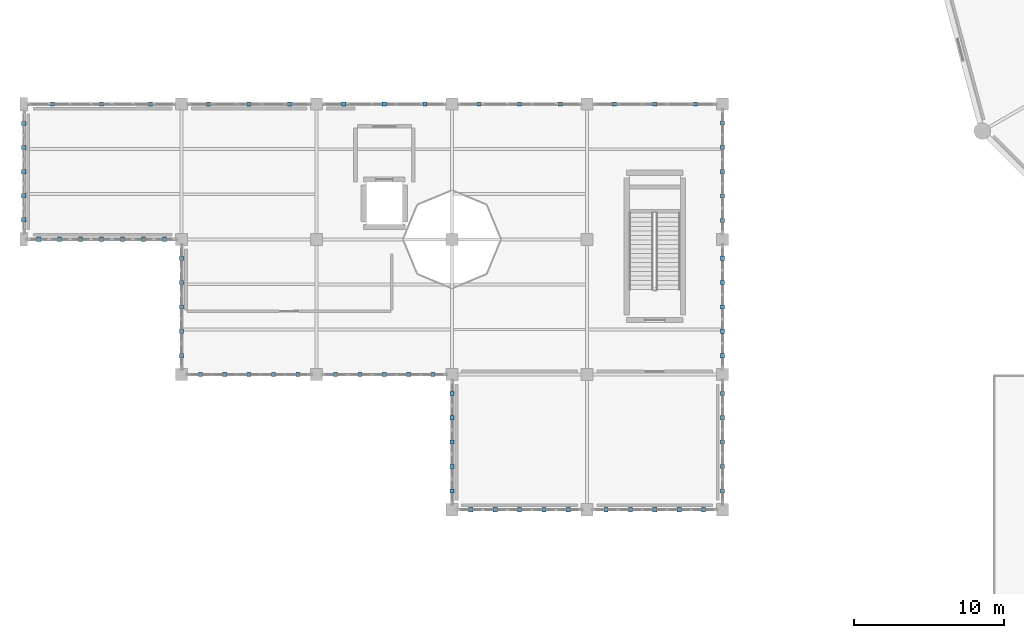
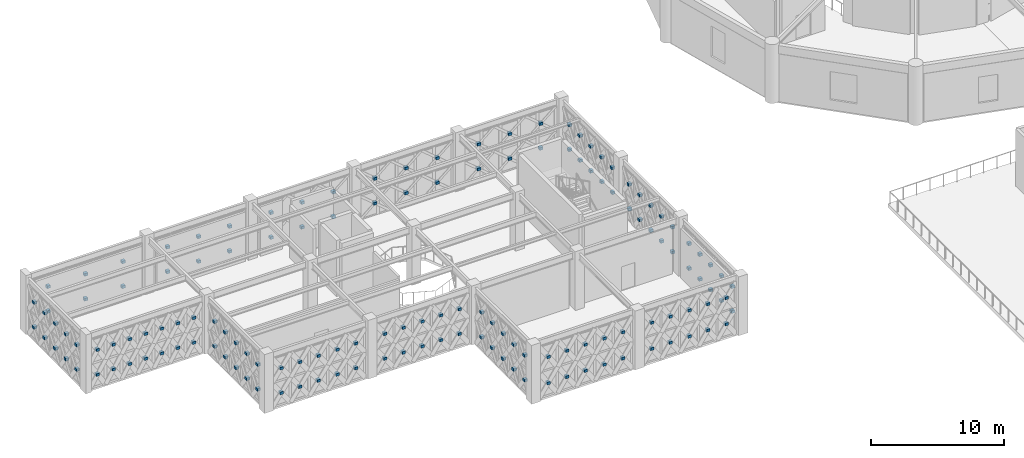
# One storey, part 76 of 86: 144 discrete accessories.
"""IFC4 building model written with IfcOpenShell, lengths in metres."""

from ifc_helpers import new_model, si_unit, direction, frame, origin, origin_2d, place, context, subcontext, project, spatial, rectangle, extrude, material, type_object, element, save


model = new_model("IFC4")

# Units and contexts
model_context = context("Model", 3, precision=1e-05, world=origin(), true_north=direction((0.0, 1.0)))
body_context = subcontext(model_context, "Body", "Model", "MODEL_VIEW")
ifc_project = project(units=[si_unit("LENGTHUNIT", "METRE"), si_unit("AREAUNIT", "SQUARE_METRE"), si_unit("VOLUMEUNIT", "CUBIC_METRE"), si_unit("PLANEANGLEUNIT", "RADIAN"), si_unit("MASSUNIT", "GRAM", prefix="KILO")], contexts=[model_context])

# Site, building, storey
site_placement = place(None, origin())
site = spatial("IfcSite", under=ifc_project, at=site_placement, CompositionType="ELEMENT")
building_placement = place(site_placement, origin())
building = spatial("IfcBuilding", under=site, at=building_placement, Name="Haizhuo Lancet Aquarium", CompositionType="ELEMENT")
storey_placement = place(building_placement, frame((0.0, 0.0, 16.199951171875)))
storey = spatial("IfcBuildingStorey", under=building, at=storey_placement, Name="L03", CompositionType="ELEMENT", Elevation=16.199951171875)

# Discrete accessories
ifc_material = material(Name="Steel S355", Category="steel")
discrete_accessory_type = type_object("IfcDiscreteAccessoryType", Name="ACC-END-CAP", PredefinedType="BRACKET", material=ifc_material)
for number, where, z_axis, x_axis, name in (
    (1, (-73.14208984375, -18.0, 1.01708984375), (0.0, 0.0, 1.0), (1.0, 0.0, 0.0), "L03 X-brace crossing gusset plate XN-CW-V6-L03-228-LB01B1"),
    (2, (-73.14208984375, -18.0, 3.29296875), (0.0, 0.0, 1.0), (1.0, 0.0, 0.0), "L03 X-brace crossing gusset plate XN-CW-V6-L03-228-LB02B1"),
    (3, (-74.535888671875, -18.0, 1.01708984375), (0.0, 0.0, 1.0), (1.0, 0.0, 0.0), "L03 X-brace crossing gusset plate XN-CW-V6-L03-228-LB03B1"),
    (4, (-74.535888671875, -18.0, 3.29296875), (0.0, 0.0, 1.0), (1.0, 0.0, 0.0), "L03 X-brace crossing gusset plate XN-CW-V6-L03-228-LB04B1"),
    (5, (-75.930908203125, -18.0, 1.01708984375), (0.0, 0.0, 1.0), (1.0, 0.0, 0.0), "L03 X-brace crossing gusset plate XN-CW-V6-L03-228-LB05B1"),
    (6, (-75.930908203125, -18.0, 3.29296875), (0.0, 0.0, 1.0), (1.0, 0.0, 0.0), "L03 X-brace crossing gusset plate XN-CW-V6-L03-228-LB06B1"),
    (7, (-77.324951171875, -18.0, 1.01708984375), (0.0, 0.0, 1.0), (1.0, 0.0, 0.0), "L03 X-brace crossing gusset plate XN-CW-V6-L03-228-LB07B1"),
    (8, (-77.324951171875, -18.0, 3.29296875), (0.0, 0.0, 1.0), (1.0, 0.0, 0.0), "L03 X-brace crossing gusset plate XN-CW-V6-L03-228-LB08B1"),
    (9, (-78.718994140625, -18.0, 1.01708984375), (0.0, 0.0, 1.0), (1.0, 0.0, 0.0), "L03 X-brace crossing gusset plate XN-CW-V6-L03-228-LB09B1"),
    (10, (-78.718994140625, -18.0, 3.29296875), (0.0, 0.0, 1.0), (1.0, 0.0, 0.0), "L03 X-brace crossing gusset plate XN-CW-V6-L03-228-LB10B1"),
    (11, (-80.114013671875, -18.0, 1.01708984375), (0.0, 0.0, 1.0), (1.0, 0.0, 0.0), "L03 X-brace crossing gusset plate XN-CW-V6-L03-228-LB11B1"),
    (12, (-80.114013671875, -18.0, 3.29296875), (0.0, 0.0, 1.0), (1.0, 0.0, 0.0), "L03 X-brace crossing gusset plate XN-CW-V6-L03-228-LB12B1"),
    (13, (-81.508056640625, -18.0, 1.01708984375), (0.0, 0.0, 1.0), (1.0, 0.0, 0.0), "L03 X-brace crossing gusset plate XN-CW-V6-L03-228-LB13B1"),
    (14, (-81.508056640625, -18.0, 3.29296875), (0.0, 0.0, 1.0), (1.0, 0.0, 0.0), "L03 X-brace crossing gusset plate XN-CW-V6-L03-228-LB14B1"),
    (15, (-82.5, -16.7041015625, 1.01708984375), (0.0, 0.0, 1.0), (1.0, 0.0, 0.0), "L03 X-brace crossing gusset plate XN-CW-V6-L03-229-LB01B1"),
    (16, (-82.5, -16.7041015625, 3.29296875), (0.0, 0.0, 1.0), (1.0, 0.0, 0.0), "L03 X-brace crossing gusset plate XN-CW-V6-L03-229-LB02B1"),
    (17, (-82.5, -15.10205078125, 1.01708984375), (0.0, 0.0, 1.0), (1.0, 0.0, 0.0), "L03 X-brace crossing gusset plate XN-CW-V6-L03-229-LB03B1"),
    (18, (-82.5, -15.10205078125, 3.29296875), (0.0, 0.0, 1.0), (1.0, 0.0, 0.0), "L03 X-brace crossing gusset plate XN-CW-V6-L03-229-LB04B1"),
    (19, (-82.5, -13.5, 1.01708984375), (0.0, 0.0, 1.0), (1.0, 0.0, 0.0), "L03 X-brace crossing gusset plate XN-CW-V6-L03-229-LB05B1"),
    (20, (-82.5, -13.5, 3.29296875), (0.0, 0.0, 1.0), (1.0, 0.0, 0.0), "L03 X-brace crossing gusset plate XN-CW-V6-L03-229-LB06B1"),
    (21, (-82.5, -11.89794921875, 1.01708984375), (0.0, 0.0, 1.0), (1.0, 0.0, 0.0), "L03 X-brace crossing gusset plate XN-CW-V6-L03-229-LB07B1"),
    (22, (-82.5, -11.89794921875, 3.29296875), (0.0, 0.0, 1.0), (1.0, 0.0, 0.0), "L03 X-brace crossing gusset plate XN-CW-V6-L03-229-LB08B1"),
    (23, (-82.5, -10.2958984375, 1.01708984375), (0.0, 0.0, 1.0), (1.0, 0.0, 0.0), "L03 X-brace crossing gusset plate XN-CW-V6-L03-229-LB09B1"),
    (24, (-82.5, -10.2958984375, 3.29296875), (0.0, 0.0, 1.0), (1.0, 0.0, 0.0), "L03 X-brace crossing gusset plate XN-CW-V6-L03-229-LB10B1"),
    (25, (-80.577880859375, -9.0, 1.01708984375), (0.0, 0.0, 1.0), (1.0, 0.0, 0.0), "L03 X-brace crossing gusset plate XN-CW-V6-L03-230-LB01B1"),
    (26, (-80.577880859375, -9.0, 3.29296875), (0.0, 0.0, 1.0), (1.0, 0.0, 0.0), "L03 X-brace crossing gusset plate XN-CW-V6-L03-230-LB02B1"),
    (27, (-77.324951171875, -9.0, 1.01708984375), (0.0, 0.0, 1.0), (1.0, 0.0, 0.0), "L03 X-brace crossing gusset plate XN-CW-V6-L03-230-LB03B1"),
    (28, (-77.324951171875, -9.0, 3.29296875), (0.0, 0.0, 1.0), (1.0, 0.0, 0.0), "L03 X-brace crossing gusset plate XN-CW-V6-L03-230-LB04B1"),
    (29, (-74.071044921875, -9.0, 1.01708984375), (0.0, 0.0, 1.0), (1.0, 0.0, 0.0), "L03 X-brace crossing gusset plate XN-CW-V6-L03-230-LB05B1"),
    (30, (-74.071044921875, -9.0, 3.29296875), (0.0, 0.0, 1.0), (1.0, 0.0, 0.0), "L03 X-brace crossing gusset plate XN-CW-V6-L03-230-LB06B1"),
    (31, (-70.2041015625, -9.0, 1.01708984375), (0.0, 0.0, 1.0), (1.0, 0.0, 0.0), "L03 X-brace crossing gusset plate XN-CW-V6-L03-231-LB01B1"),
    (32, (-70.2041015625, -9.0, 3.29296875), (0.0, 0.0, 1.0), (1.0, 0.0, 0.0), "L03 X-brace crossing gusset plate XN-CW-V6-L03-231-LB02B1"),
    (33, (-67.5, -9.0, 1.01708984375), (0.0, 0.0, 1.0), (1.0, 0.0, 0.0), "L03 X-brace crossing gusset plate XN-CW-V6-L03-231-LB03B1"),
    (34, (-67.5, -9.0, 3.29296875), (0.0, 0.0, 1.0), (1.0, 0.0, 0.0), "L03 X-brace crossing gusset plate XN-CW-V6-L03-231-LB04B1"),
    (35, (-64.7958984375, -9.0, 1.01708984375), (0.0, 0.0, 1.0), (1.0, 0.0, 0.0), "L03 X-brace crossing gusset plate XN-CW-V6-L03-231-LB05B1"),
    (36, (-64.7958984375, -9.0, 3.29296875), (0.0, 0.0, 1.0), (1.0, 0.0, 0.0), "L03 X-brace crossing gusset plate XN-CW-V6-L03-231-LB06B1"),
    (37, (-61.202880859375, -9.0, 1.01708984375), (0.0, 0.0, 1.0), (1.0, 0.0, 0.0), "L03 X-brace crossing gusset plate XN-CW-V6-L03-232-LB01B1"),
    (38, (-61.202880859375, -9.0, 3.29296875), (0.0, 0.0, 1.0), (1.0, 0.0, 0.0), "L03 X-brace crossing gusset plate XN-CW-V6-L03-232-LB02B1"),
    (39, (-58.5, -9.0, 1.01708984375), (0.0, 0.0, 1.0), (1.0, 0.0, 0.0), "L03 X-brace crossing gusset plate XN-CW-V6-L03-232-LB03B1"),
    (40, (-58.5, -9.0, 3.29296875), (0.0, 0.0, 1.0), (1.0, 0.0, 0.0), "L03 X-brace crossing gusset plate XN-CW-V6-L03-232-LB04B1"),
    (41, (-55.797119140625, -9.0, 1.01708984375), (0.0, 0.0, 1.0), (1.0, 0.0, 0.0), "L03 X-brace crossing gusset plate XN-CW-V6-L03-232-LB05B1"),
    (42, (-55.797119140625, -9.0, 3.29296875), (0.0, 0.0, 1.0), (1.0, 0.0, 0.0), "L03 X-brace crossing gusset plate XN-CW-V6-L03-232-LB06B1"),
    (43, (-52.202880859375, -9.0, 1.01708984375), (0.0, 0.0, 1.0), (1.0, 0.0, 0.0), "L03 X-brace crossing gusset plate XN-CW-V6-L03-233-LB01B1"),
    (44, (-52.202880859375, -9.0, 3.29296875), (0.0, 0.0, 1.0), (1.0, 0.0, 0.0), "L03 X-brace crossing gusset plate XN-CW-V6-L03-233-LB02B1"),
    (45, (-49.5, -9.0, 1.01708984375), (0.0, 0.0, 1.0), (1.0, 0.0, 0.0), "L03 X-brace crossing gusset plate XN-CW-V6-L03-233-LB03B1"),
    (46, (-49.5, -9.0, 3.29296875), (0.0, 0.0, 1.0), (1.0, 0.0, 0.0), "L03 X-brace crossing gusset plate XN-CW-V6-L03-233-LB04B1"),
    (47, (-46.797119140625, -9.0, 1.01708984375), (0.0, 0.0, 1.0), (1.0, 0.0, 0.0), "L03 X-brace crossing gusset plate XN-CW-V6-L03-233-LB05B1"),
    (48, (-46.797119140625, -9.0, 3.29296875), (0.0, 0.0, 1.0), (1.0, 0.0, 0.0), "L03 X-brace crossing gusset plate XN-CW-V6-L03-233-LB06B1"),
    (49, (-43.202880859375, -9.0, 1.01708984375), (0.0, 0.0, 1.0), (1.0, 0.0, 0.0), "L03 X-brace crossing gusset plate XN-CW-V6-L03-234-LB01B1"),
    (50, (-43.202880859375, -9.0, 3.29296875), (0.0, 0.0, 1.0), (1.0, 0.0, 0.0), "L03 X-brace crossing gusset plate XN-CW-V6-L03-234-LB02B1"),
    (51, (-40.5, -9.0, 1.01708984375), (0.0, 0.0, 1.0), (1.0, 0.0, 0.0), "L03 X-brace crossing gusset plate XN-CW-V6-L03-234-LB03B1"),
    (52, (-40.5, -9.0, 3.29296875), (0.0, 0.0, 1.0), (1.0, 0.0, 0.0), "L03 X-brace crossing gusset plate XN-CW-V6-L03-234-LB04B1"),
    (53, (-37.797119140625, -9.0, 1.01708984375), (0.0, 0.0, 1.0), (1.0, 0.0, 0.0), "L03 X-brace crossing gusset plate XN-CW-V6-L03-234-LB05B1"),
    (54, (-37.797119140625, -9.0, 3.29296875), (0.0, 0.0, 1.0), (1.0, 0.0, 0.0), "L03 X-brace crossing gusset plate XN-CW-V6-L03-234-LB06B1"),
    (55, (-36.0, -10.256103515625, 1.01708984375), (0.0, 0.0, 1.0), (1.0, 0.0, 0.0), "L03 X-brace crossing gusset plate XN-CW-V6-L03-235-LB01B1"),
    (56, (-36.0, -10.256103515625, 3.29296875), (0.0, 0.0, 1.0), (1.0, 0.0, 0.0), "L03 X-brace crossing gusset plate XN-CW-V6-L03-235-LB02B1"),
    (57, (-36.0, -11.8779296875, 1.01708984375), (0.0, 0.0, 1.0), (1.0, 0.0, 0.0), "L03 X-brace crossing gusset plate XN-CW-V6-L03-235-LB03B1"),
    (58, (-36.0, -11.8779296875, 3.29296875), (0.0, 0.0, 1.0), (1.0, 0.0, 0.0), "L03 X-brace crossing gusset plate XN-CW-V6-L03-235-LB04B1"),
    (59, (-36.0, -13.5, 1.01708984375), (0.0, 0.0, 1.0), (1.0, 0.0, 0.0), "L03 X-brace crossing gusset plate XN-CW-V6-L03-235-LB05B1"),
    (60, (-36.0, -13.5, 3.29296875), (0.0, 0.0, 1.0), (1.0, 0.0, 0.0), "L03 X-brace crossing gusset plate XN-CW-V6-L03-235-LB06B1"),
    (61, (-36.0, -15.1220703125, 1.01708984375), (0.0, 0.0, 1.0), (1.0, 0.0, 0.0), "L03 X-brace crossing gusset plate XN-CW-V6-L03-235-LB07B1"),
    (62, (-36.0, -15.1220703125, 3.29296875), (0.0, 0.0, 1.0), (1.0, 0.0, 0.0), "L03 X-brace crossing gusset plate XN-CW-V6-L03-235-LB08B1"),
    (63, (-36.0, -16.743896484375, 1.01708984375), (0.0, 0.0, 1.0), (1.0, 0.0, 0.0), "L03 X-brace crossing gusset plate XN-CW-V6-L03-235-LB09B1"),
    (64, (-36.0, -16.743896484375, 3.29296875), (0.0, 0.0, 1.0), (1.0, 0.0, 0.0), "L03 X-brace crossing gusset plate XN-CW-V6-L03-235-LB10B1"),
    (65, (-36.0, -19.256103515625, 1.01708984375), (0.0, 0.0, 1.0), (1.0, 0.0, 0.0), "L03 X-brace crossing gusset plate XN-CW-V6-L03-236-LB01B1"),
    (66, (-36.0, -19.256103515625, 3.29296875), (0.0, 0.0, 1.0), (1.0, 0.0, 0.0), "L03 X-brace crossing gusset plate XN-CW-V6-L03-236-LB02B1"),
    (67, (-36.0, -20.8779296875, 1.01708984375), (0.0, 0.0, 1.0), (1.0, 0.0, 0.0), "L03 X-brace crossing gusset plate XN-CW-V6-L03-236-LB03B1"),
    (68, (-36.0, -20.8779296875, 3.29296875), (0.0, 0.0, 1.0), (1.0, 0.0, 0.0), "L03 X-brace crossing gusset plate XN-CW-V6-L03-236-LB04B1"),
    (69, (-36.0, -22.5, 1.01708984375), (0.0, 0.0, 1.0), (1.0, 0.0, 0.0), "L03 X-brace crossing gusset plate XN-CW-V6-L03-236-LB05B1"),
    (70, (-36.0, -22.5, 3.29296875), (0.0, 0.0, 1.0), (1.0, 0.0, 0.0), "L03 X-brace crossing gusset plate XN-CW-V6-L03-236-LB06B1"),
    (71, (-36.0, -24.1220703125, 1.01708984375), (0.0, 0.0, 1.0), (1.0, 0.0, 0.0), "L03 X-brace crossing gusset plate XN-CW-V6-L03-236-LB07B1"),
    (72, (-36.0, -24.1220703125, 3.29296875), (0.0, 0.0, 1.0), (1.0, 0.0, 0.0), "L03 X-brace crossing gusset plate XN-CW-V6-L03-236-LB08B1"),
    (73, (-36.0, -25.743896484375, 1.01708984375), (0.0, 0.0, 1.0), (1.0, 0.0, 0.0), "L03 X-brace crossing gusset plate XN-CW-V6-L03-236-LB09B1"),
    (74, (-36.0, -25.743896484375, 3.29296875), (0.0, 0.0, 1.0), (1.0, 0.0, 0.0), "L03 X-brace crossing gusset plate XN-CW-V6-L03-236-LB10B1"),
    (75, (-36.0, -28.256103515625, 1.01708984375), (0.0, 0.0, 1.0), (1.0, 0.0, 0.0), "L03 X-brace crossing gusset plate XN-CW-V6-L03-237-LB01B1"),
    (76, (-36.0, -28.256103515625, 3.29296875), (0.0, 0.0, 1.0), (1.0, 0.0, 0.0), "L03 X-brace crossing gusset plate XN-CW-V6-L03-237-LB02B1"),
    (77, (-36.0, -29.8779296875, 1.01708984375), (0.0, 0.0, 1.0), (1.0, 0.0, 0.0), "L03 X-brace crossing gusset plate XN-CW-V6-L03-237-LB03B1"),
    (78, (-36.0, -29.8779296875, 3.29296875), (0.0, 0.0, 1.0), (1.0, 0.0, 0.0), "L03 X-brace crossing gusset plate XN-CW-V6-L03-237-LB04B1"),
    (79, (-36.0, -31.5, 1.01708984375), (0.0, 0.0, 1.0), (1.0, 0.0, 0.0), "L03 X-brace crossing gusset plate XN-CW-V6-L03-237-LB05B1"),
    (80, (-36.0, -31.5, 3.29296875), (0.0, 0.0, 1.0), (1.0, 0.0, 0.0), "L03 X-brace crossing gusset plate XN-CW-V6-L03-237-LB06B1"),
    (81, (-36.0, -33.1220703125, 1.01708984375), (0.0, 0.0, 1.0), (1.0, 0.0, 0.0), "L03 X-brace crossing gusset plate XN-CW-V6-L03-237-LB07B1"),
    (82, (-36.0, -33.1220703125, 3.29296875), (0.0, 0.0, 1.0), (1.0, 0.0, 0.0), "L03 X-brace crossing gusset plate XN-CW-V6-L03-237-LB08B1"),
    (83, (-36.0, -34.743896484375, 1.01708984375), (0.0, 0.0, 1.0), (1.0, 0.0, 0.0), "L03 X-brace crossing gusset plate XN-CW-V6-L03-237-LB09B1"),
    (84, (-36.0, -34.743896484375, 3.29296875), (0.0, 0.0, 1.0), (1.0, 0.0, 0.0), "L03 X-brace crossing gusset plate XN-CW-V6-L03-237-LB10B1"),
    (85, (-37.256103515625, -36.0, 1.080078125), (0.0, 0.0, 1.0), (1.0, 0.0, 0.0), "L03 X-brace crossing gusset plate XN-CW-V6-L03-238-LB01B1"),
    (86, (-37.256103515625, -36.0, 3.47998046875), (0.0, 0.0, 1.0), (1.0, 0.0, 0.0), "L03 X-brace crossing gusset plate XN-CW-V6-L03-238-LB02B1"),
    (87, (-38.8779296875, -36.0, 1.080078125), (0.0, 0.0, 1.0), (1.0, 0.0, 0.0), "L03 X-brace crossing gusset plate XN-CW-V6-L03-238-LB03B1"),
    (88, (-38.8779296875, -36.0, 3.47998046875), (0.0, 0.0, 1.0), (1.0, 0.0, 0.0), "L03 X-brace crossing gusset plate XN-CW-V6-L03-238-LB04B1"),
    (89, (-40.5, -36.0, 1.080078125), (0.0, 0.0, 1.0), (1.0, 0.0, 0.0), "L03 X-brace crossing gusset plate XN-CW-V6-L03-238-LB05B1"),
    (90, (-40.5, -36.0, 3.47998046875), (0.0, 0.0, 1.0), (1.0, 0.0, 0.0), "L03 X-brace crossing gusset plate XN-CW-V6-L03-238-LB06B1"),
    (91, (-42.1220703125, -36.0, 1.080078125), (0.0, 0.0, 1.0), (1.0, 0.0, 0.0), "L03 X-brace crossing gusset plate XN-CW-V6-L03-238-LB07B1"),
    (92, (-42.1220703125, -36.0, 3.47998046875), (0.0, 0.0, 1.0), (1.0, 0.0, 0.0), "L03 X-brace crossing gusset plate XN-CW-V6-L03-238-LB08B1"),
    (93, (-43.743896484375, -36.0, 1.080078125), (0.0, 0.0, 1.0), (1.0, 0.0, 0.0), "L03 X-brace crossing gusset plate XN-CW-V6-L03-238-LB09B1"),
    (94, (-43.743896484375, -36.0, 3.47998046875), (0.0, 0.0, 1.0), (1.0, 0.0, 0.0), "L03 X-brace crossing gusset plate XN-CW-V6-L03-238-LB10B1"),
    (95, (-46.256103515625, -36.0, 1.080078125), (0.0, 0.0, 1.0), (1.0, 0.0, 0.0), "L03 X-brace crossing gusset plate XN-CW-V6-L03-239-LB01B1"),
    (96, (-46.256103515625, -36.0, 3.47998046875), (0.0, 0.0, 1.0), (1.0, 0.0, 0.0), "L03 X-brace crossing gusset plate XN-CW-V6-L03-239-LB02B1"),
    (97, (-47.8779296875, -36.0, 1.080078125), (0.0, 0.0, 1.0), (1.0, 0.0, 0.0), "L03 X-brace crossing gusset plate XN-CW-V6-L03-239-LB03B1"),
    (98, (-47.8779296875, -36.0, 3.47998046875), (0.0, 0.0, 1.0), (1.0, 0.0, 0.0), "L03 X-brace crossing gusset plate XN-CW-V6-L03-239-LB04B1"),
    (99, (-49.5, -36.0, 1.080078125), (0.0, 0.0, 1.0), (1.0, 0.0, 0.0), "L03 X-brace crossing gusset plate XN-CW-V6-L03-239-LB05B1"),
    (100, (-49.5, -36.0, 3.47998046875), (0.0, 0.0, 1.0), (1.0, 0.0, 0.0), "L03 X-brace crossing gusset plate XN-CW-V6-L03-239-LB06B1"),
    (101, (-51.1220703125, -36.0, 1.080078125), (0.0, 0.0, 1.0), (1.0, 0.0, 0.0), "L03 X-brace crossing gusset plate XN-CW-V6-L03-239-LB07B1"),
    (102, (-51.1220703125, -36.0, 3.47998046875), (0.0, 0.0, 1.0), (1.0, 0.0, 0.0), "L03 X-brace crossing gusset plate XN-CW-V6-L03-239-LB08B1"),
    (103, (-52.743896484375, -36.0, 1.080078125), (0.0, 0.0, 1.0), (1.0, 0.0, 0.0), "L03 X-brace crossing gusset plate XN-CW-V6-L03-239-LB09B1"),
    (104, (-52.743896484375, -36.0, 3.47998046875), (0.0, 0.0, 1.0), (1.0, 0.0, 0.0), "L03 X-brace crossing gusset plate XN-CW-V6-L03-239-LB10B1"),
    (105, (-54.0, -34.743896484375, 1.01708984375), (0.0, 0.0, 1.0), (1.0, 0.0, 0.0), "L03 X-brace crossing gusset plate XN-CW-V6-L03-240-LB01B1"),
    (106, (-54.0, -34.743896484375, 3.29296875), (0.0, 0.0, 1.0), (1.0, 0.0, 0.0), "L03 X-brace crossing gusset plate XN-CW-V6-L03-240-LB02B1"),
    (107, (-54.0, -33.1220703125, 1.01708984375), (0.0, 0.0, 1.0), (1.0, 0.0, 0.0), "L03 X-brace crossing gusset plate XN-CW-V6-L03-240-LB03B1"),
    (108, (-54.0, -33.1220703125, 3.29296875), (0.0, 0.0, 1.0), (1.0, 0.0, 0.0), "L03 X-brace crossing gusset plate XN-CW-V6-L03-240-LB04B1"),
    (109, (-54.0, -31.5, 1.01708984375), (0.0, 0.0, 1.0), (1.0, 0.0, 0.0), "L03 X-brace crossing gusset plate XN-CW-V6-L03-240-LB05B1"),
    (110, (-54.0, -31.5, 3.29296875), (0.0, 0.0, 1.0), (1.0, 0.0, 0.0), "L03 X-brace crossing gusset plate XN-CW-V6-L03-240-LB06B1"),
    (111, (-54.0, -29.8779296875, 1.01708984375), (0.0, 0.0, 1.0), (1.0, 0.0, 0.0), "L03 X-brace crossing gusset plate XN-CW-V6-L03-240-LB07B1"),
    (112, (-54.0, -29.8779296875, 3.29296875), (0.0, 0.0, 1.0), (1.0, 0.0, 0.0), "L03 X-brace crossing gusset plate XN-CW-V6-L03-240-LB08B1"),
    (113, (-54.0, -28.256103515625, 1.01708984375), (0.0, 0.0, 1.0), (1.0, 0.0, 0.0), "L03 X-brace crossing gusset plate XN-CW-V6-L03-240-LB09B1"),
    (114, (-54.0, -28.256103515625, 3.29296875), (0.0, 0.0, 1.0), (1.0, 0.0, 0.0), "L03 X-brace crossing gusset plate XN-CW-V6-L03-240-LB10B1"),
    (115, (-55.256103515625, -27.0, 1.01708984375), (0.0, 0.0, 1.0), (1.0, 0.0, 0.0), "L03 X-brace crossing gusset plate XN-CW-V6-L03-241-LB01B1"),
    (116, (-55.256103515625, -27.0, 3.29296875), (0.0, 0.0, 1.0), (1.0, 0.0, 0.0), "L03 X-brace crossing gusset plate XN-CW-V6-L03-241-LB02B1"),
    (117, (-56.8779296875, -27.0, 1.01708984375), (0.0, 0.0, 1.0), (1.0, 0.0, 0.0), "L03 X-brace crossing gusset plate XN-CW-V6-L03-241-LB03B1"),
    (118, (-56.8779296875, -27.0, 3.29296875), (0.0, 0.0, 1.0), (1.0, 0.0, 0.0), "L03 X-brace crossing gusset plate XN-CW-V6-L03-241-LB04B1"),
    (119, (-58.5, -27.0, 1.01708984375), (0.0, 0.0, 1.0), (1.0, 0.0, 0.0), "L03 X-brace crossing gusset plate XN-CW-V6-L03-241-LB05B1"),
    (120, (-58.5, -27.0, 3.29296875), (0.0, 0.0, 1.0), (1.0, 0.0, 0.0), "L03 X-brace crossing gusset plate XN-CW-V6-L03-241-LB06B1"),
    (121, (-60.1220703125, -27.0, 1.01708984375), (0.0, 0.0, 1.0), (1.0, 0.0, 0.0), "L03 X-brace crossing gusset plate XN-CW-V6-L03-241-LB07B1"),
    (122, (-60.1220703125, -27.0, 3.29296875), (0.0, 0.0, 1.0), (1.0, 0.0, 0.0), "L03 X-brace crossing gusset plate XN-CW-V6-L03-241-LB08B1"),
    (123, (-61.743896484375, -27.0, 1.01708984375), (0.0, 0.0, 1.0), (1.0, 0.0, 0.0), "L03 X-brace crossing gusset plate XN-CW-V6-L03-241-LB09B1"),
    (124, (-61.743896484375, -27.0, 3.29296875), (0.0, 0.0, 1.0), (1.0, 0.0, 0.0), "L03 X-brace crossing gusset plate XN-CW-V6-L03-241-LB10B1"),
    (125, (-64.256103515625, -27.0, 1.01708984375), (0.0, 0.0, 1.0), (1.0, 0.0, 0.0), "L03 X-brace crossing gusset plate XN-CW-V6-L03-242-LB01B1"),
    (126, (-64.256103515625, -27.0, 3.29296875), (0.0, 0.0, 1.0), (1.0, 0.0, 0.0), "L03 X-brace crossing gusset plate XN-CW-V6-L03-242-LB02B1"),
    (127, (-65.8779296875, -27.0, 1.01708984375), (0.0, 0.0, 1.0), (1.0, 0.0, 0.0), "L03 X-brace crossing gusset plate XN-CW-V6-L03-242-LB03B1"),
    (128, (-65.8779296875, -27.0, 3.29296875), (0.0, 0.0, 1.0), (1.0, 0.0, 0.0), "L03 X-brace crossing gusset plate XN-CW-V6-L03-242-LB04B1"),
    (129, (-67.5, -27.0, 1.01708984375), (0.0, 0.0, 1.0), (1.0, 0.0, 0.0), "L03 X-brace crossing gusset plate XN-CW-V6-L03-242-LB05B1"),
    (130, (-67.5, -27.0, 3.29296875), (0.0, 0.0, 1.0), (1.0, 0.0, 0.0), "L03 X-brace crossing gusset plate XN-CW-V6-L03-242-LB06B1"),
    (131, (-69.1220703125, -27.0, 1.01708984375), (0.0, 0.0, 1.0), (1.0, 0.0, 0.0), "L03 X-brace crossing gusset plate XN-CW-V6-L03-242-LB07B1"),
    (132, (-69.1220703125, -27.0, 3.29296875), (0.0, 0.0, 1.0), (1.0, 0.0, 0.0), "L03 X-brace crossing gusset plate XN-CW-V6-L03-242-LB08B1"),
    (133, (-70.743896484375, -27.0, 1.01708984375), (0.0, 0.0, 1.0), (1.0, 0.0, 0.0), "L03 X-brace crossing gusset plate XN-CW-V6-L03-242-LB09B1"),
    (134, (-70.743896484375, -27.0, 3.29296875), (0.0, 0.0, 1.0), (1.0, 0.0, 0.0), "L03 X-brace crossing gusset plate XN-CW-V6-L03-242-LB10B1"),
    (135, (-72.0, -25.743896484375, 1.01708984375), (0.0, 0.0, 1.0), (1.0, 0.0, 0.0), "L03 X-brace crossing gusset plate XN-CW-V6-L03-243-LB01B1"),
    (136, (-72.0, -25.743896484375, 3.29296875), (0.0, 0.0, 1.0), (1.0, 0.0, 0.0), "L03 X-brace crossing gusset plate XN-CW-V6-L03-243-LB02B1"),
    (137, (-72.0, -24.1220703125, 1.01708984375), (0.0, 0.0, 1.0), (1.0, 0.0, 0.0), "L03 X-brace crossing gusset plate XN-CW-V6-L03-243-LB03B1"),
    (138, (-72.0, -24.1220703125, 3.29296875), (0.0, 0.0, 1.0), (1.0, 0.0, 0.0), "L03 X-brace crossing gusset plate XN-CW-V6-L03-243-LB04B1"),
    (139, (-72.0, -22.5, 1.01708984375), (0.0, 0.0, 1.0), (1.0, 0.0, 0.0), "L03 X-brace crossing gusset plate XN-CW-V6-L03-243-LB05B1"),
    (140, (-72.0, -22.5, 3.29296875), (0.0, 0.0, 1.0), (1.0, 0.0, 0.0), "L03 X-brace crossing gusset plate XN-CW-V6-L03-243-LB06B1"),
    (141, (-72.0, -20.8779296875, 1.01708984375), (0.0, 0.0, 1.0), (1.0, 0.0, 0.0), "L03 X-brace crossing gusset plate XN-CW-V6-L03-243-LB07B1"),
    (142, (-72.0, -20.8779296875, 3.29296875), (0.0, 0.0, 1.0), (1.0, 0.0, 0.0), "L03 X-brace crossing gusset plate XN-CW-V6-L03-243-LB08B1"),
    (143, (-72.0, -19.256103515625, 1.01708984375), (0.0, 0.0, 1.0), (1.0, 0.0, 0.0), "L03 X-brace crossing gusset plate XN-CW-V6-L03-243-LB09B1"),
    (144, (-72.0, -19.256103515625, 3.29296875), (0.0, 0.0, 1.0), (1.0, 0.0, 0.0), "L03 X-brace crossing gusset plate XN-CW-V6-L03-243-LB10B1"),
):
    element("IfcDiscreteAccessory", number, at=place(storey_placement, frame(where, z_axis=z_axis, x_axis=x_axis)), inside=storey, type_object=discrete_accessory_type, material=ifc_material, Name=name, PredefinedType="BRACKET", context=body_context, shape_type="SweptSolid", body=[
        extrude(rectangle(XDim=0.280029296875, YDim=0.280029296875, at=origin_2d()), origin(), (0.0, 0.0, 1.0), 0.239990234375),
    ])

save(model, "model.ifc")
